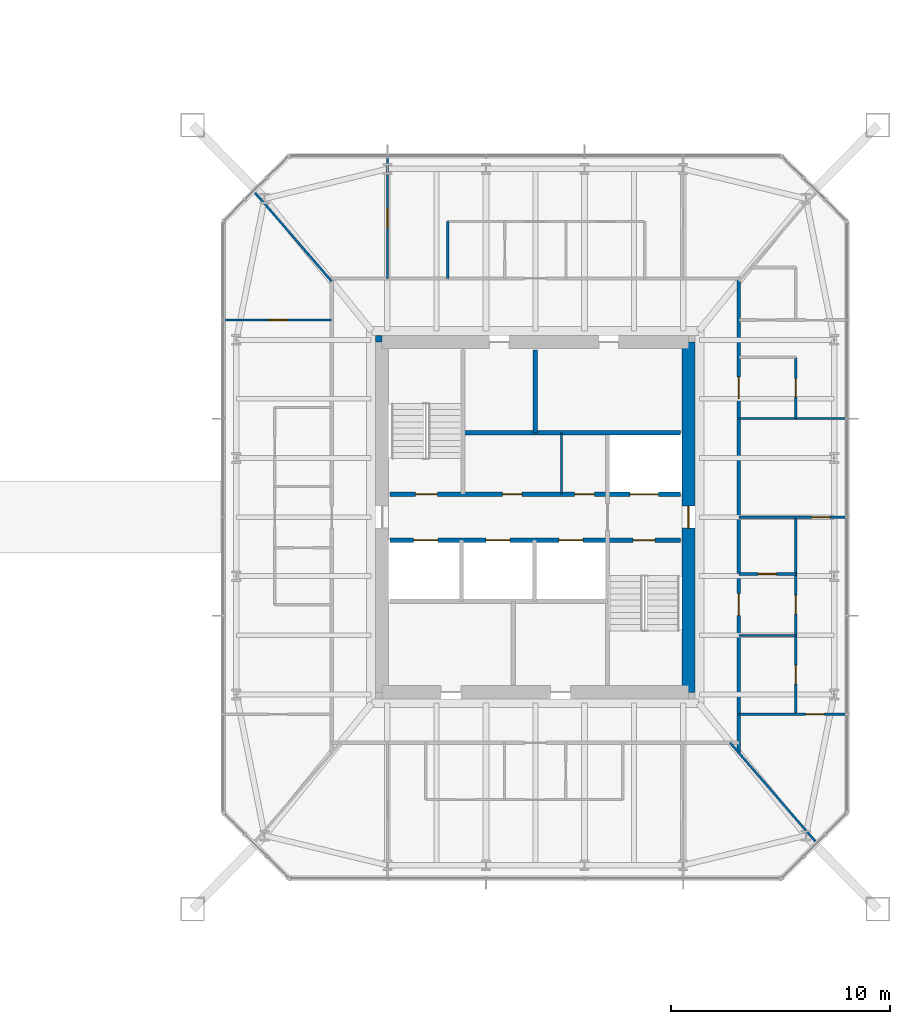
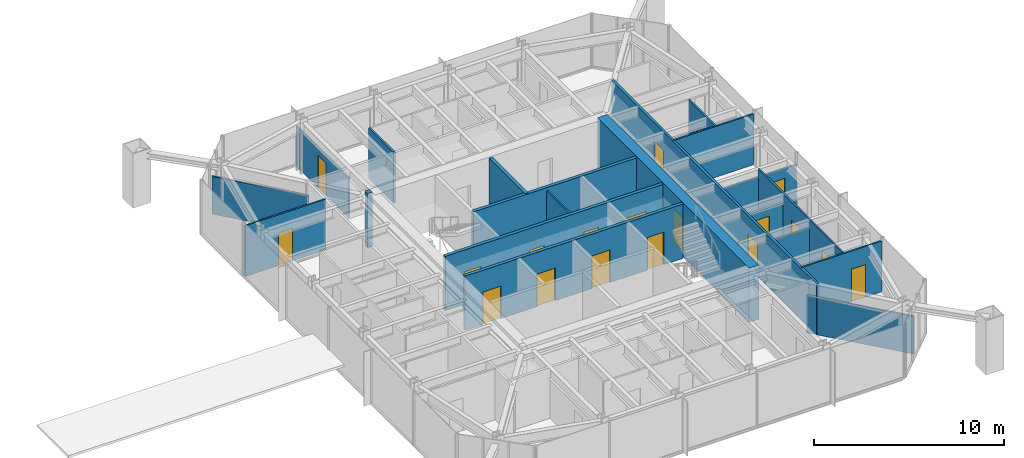
# One storey, part 18 of 25: 20 walls, 19 doors, 19 openings.
"""IFC4 building model written with IfcOpenShell, lengths in metres."""

from ifc_helpers import new_model, si_unit, direction, frame, frame_2d, origin, place, context, subcontext, project, spatial, rectangle, extrude, material, layer, layer_set, type_object, element, fill, save


model = new_model("IFC4")

# Units and contexts
model_context = context("Model", 3, precision=1e-05, world=origin(), true_north=direction((0.0, 1.0)))
body_context = subcontext(model_context, "Body", "Model", "MODEL_VIEW")
ifc_project = project(units=[si_unit("LENGTHUNIT", "METRE"), si_unit("AREAUNIT", "SQUARE_METRE"), si_unit("VOLUMEUNIT", "CUBIC_METRE"), si_unit("PLANEANGLEUNIT", "RADIAN"), si_unit("MASSUNIT", "GRAM", prefix="KILO")], contexts=[model_context])

# Site, building, storey
site_placement = place(None, origin())
site = spatial("IfcSite", under=ifc_project, at=site_placement, CompositionType="ELEMENT")
building_placement = place(site_placement, origin())
building = spatial("IfcBuilding", under=site, at=building_placement, Name="Iwan Alto Co-Living Towers", CompositionType="ELEMENT")
storey_placement = place(building_placement, frame((0.0, 0.0, 101.5)))
storey = spatial("IfcBuildingStorey", under=building, at=storey_placement, Name="L27", CompositionType="ELEMENT", Elevation=101.5)

# Wall, openings, doors
ifc_material_1 = material(Name="Gypsum board")
ifc_layer_1 = layer(ifc_material_1, 0.02490234375, Name="Board", Category="Finish")
ifc_material_2 = material(Name="Steel ASTM A1003 ST33H cold-formed studs", Category="steel")
ifc_layer_2 = layer(ifc_material_2, 0.10009765625, Name="Studs", Category="Framing")
ifc_layer_3 = layer(ifc_material_1, 0.02490234375, Name="Board", Category="Finish")
ifc_layer_set_1 = layer_set([ifc_layer_1, ifc_layer_2, ifc_layer_3], Name="CORRIDOR WALL 150")
wall_type_1 = type_object("IfcWallType", Name="CORRIDOR WALL 150", PredefinedType="PARTITIONING", material=ifc_layer_set_1)
wall_1_placement = place(storey_placement, frame((72.300048828125, -10.76806640625, 0.0), z_axis=(0.0, 0.0, 1.0), x_axis=(0.0, 1.0, 0.0)))
wall_1 = element("IfcWall", 1, at=wall_1_placement, inside=storey, type_object=wall_type_1, Name="Partition L27", PredefinedType="PARTITIONING", context=body_context, shape_type="SweptSolid", body=[
    extrude(rectangle(XDim=21.66796875, YDim=0.14990234375, at=frame_2d((10.833984375, 0.0))), origin(), (0.0, 0.0, 1.0), 3.27001953125),
])
opening_1_placement = place(wall_1_placement, frame((6.26806640625, 0.0, 0.0)))
opening_1 = element("IfcOpeningElement", 2, at=opening_1_placement, cuts=wall_1, Name="Opening D3", PredefinedType="OPENING", context=body_context, shape_type="SweptSolid", body=[
    extrude(rectangle(XDim=1.0, YDim=2.10009765625, at=frame_2d((0.5, 1.050048828125))), frame((0.0, 0.0849609375, 0.0), z_axis=(0.0, -1.0, 0.0), x_axis=(1.0, 0.0, 0.0)), (0.0, 0.0, 1.0), 0.169921875),
])
opening_2_placement = place(wall_1_placement, frame((16.16796875, 0.0, 0.0)))
opening_2 = element("IfcOpeningElement", 3, at=opening_2_placement, cuts=wall_1, Name="Opening D3", PredefinedType="OPENING", context=body_context, shape_type="SweptSolid", body=[
    extrude(rectangle(XDim=1.0, YDim=2.10009765625, at=frame_2d((0.5, 1.050048828125))), frame((0.0, 0.0849609375, 0.0), z_axis=(0.0, -1.0, 0.0), x_axis=(1.0, 0.0, 0.0)), (0.0, 0.0, 1.0), 0.169921875),
])
ifc_material_3 = material(Name="Steel frame with timber leaf", Category="steel")
door_type_1 = type_object("IfcDoorType", Name="FLAT ENTRANCE DOOR FD30S 1000X2100", OperationType="SINGLE_SWING_LEFT", PredefinedType="DOOR", material=ifc_material_3)
door_1_placement = place(opening_1_placement, frame((1.0, 0.0, 0.0), z_axis=(0.0, 0.0, 1.0), x_axis=(-1.0, 0.0, 0.0)))
door_1 = element("IfcDoor", 4, at=door_1_placement, inside=storey, type_object=door_type_1, Name="Apartment foyer door L27", OperationType="SINGLE_SWING_RIGHT", OverallHeight=2.10009765625, OverallWidth=1.0, PredefinedType="DOOR", context=body_context, shape_type="SweptSolid", body=[
    extrude(rectangle(XDim=1.0, YDim=2.10009765625, at=frame_2d((0.5, 1.050048828125))), frame((0.0, 0.02490234375, 0.0), z_axis=(0.0, -1.0, 0.0), x_axis=(1.0, 0.0, 0.0)), (0.0, 0.0, 1.0), 0.050048828125),
])
fill(opening_1, door_1)
door_2_placement = place(opening_2_placement, frame((1.0, 0.0, 0.0), z_axis=(0.0, 0.0, 1.0), x_axis=(-1.0, 0.0, 0.0)))
door_2 = element("IfcDoor", 5, at=door_2_placement, inside=storey, type_object=door_type_1, Name="Apartment foyer door L27", OperationType="SINGLE_SWING_RIGHT", OverallHeight=2.10009765625, OverallWidth=1.0, PredefinedType="DOOR", context=body_context, shape_type="SweptSolid", body=[
    extrude(rectangle(XDim=1.0, YDim=2.10009765625, at=frame_2d((0.5, 1.050048828125))), frame((0.0, 0.02490234375, 0.0), z_axis=(0.0, -1.0, 0.0), x_axis=(1.0, 0.0, 0.0)), (0.0, 0.0, 1.0), 0.050048828125),
])
fill(opening_2, door_2)

# Wall, opening, door
ifc_layer_4 = layer(ifc_material_1, 0.012451171875, Name="Board", Category="Finish")
ifc_layer_5 = layer(ifc_material_2, 0.074951171875, Name="Studs", Category="Framing")
ifc_layer_6 = layer(ifc_material_1, 0.012451171875, Name="Board", Category="Finish")
ifc_layer_set_2 = layer_set([ifc_layer_4, ifc_layer_5, ifc_layer_6], Name="PARTITION 100")
wall_type_2 = type_object("IfcWallType", Name="PARTITION 100", PredefinedType="PARTITIONING", material=ifc_layer_set_2)
wall_2_placement = place(storey_placement, frame((72.300048828125, -9.0, 0.0), z_axis=(0.0, 0.0, 1.0), x_axis=(1.0, 0.0, 0.0)))
wall_2 = element("IfcWall", 6, at=wall_2_placement, inside=storey, type_object=wall_type_2, Name="Partition L27", PredefinedType="PARTITIONING", context=body_context, shape_type="SweptSolid", body=[
    extrude(rectangle(XDim=4.889892578125, YDim=0.10009765625, at=frame_2d((2.44482421875, 0.0))), origin(), (0.0, 0.0, 1.0), 3.27001953125),
])
opening_3_placement = place(wall_2_placement, frame((3.050048828125, 0.0, 0.0)))
opening_3 = element("IfcOpeningElement", 7, at=opening_3_placement, cuts=wall_2, Name="Opening D2", PredefinedType="OPENING", context=body_context, shape_type="SweptSolid", body=[
    extrude(rectangle(XDim=0.85009765625, YDim=2.10009765625, at=frame_2d((0.425048828125, 1.050048828125))), frame((0.0, 0.06005859375, 0.0), z_axis=(0.0, -1.0, 0.0), x_axis=(1.0, 0.0, 0.0)), (0.0, 0.0, 1.0), 0.1201171875),
])
ifc_material_4 = material(Name="Timber leaf in steel frame", Category="steel")
door_type_2 = type_object("IfcDoorType", Name="ROOM DOOR 850X2100", OperationType="SINGLE_SWING_LEFT", PredefinedType="DOOR", material=ifc_material_4)
door_3_placement = place(opening_3_placement, frame((0.85009765625, 0.0, 0.0), z_axis=(0.0, 0.0, 1.0), x_axis=(-1.0, 0.0, 0.0)))
door_3 = element("IfcDoor", 8, at=door_3_placement, inside=storey, type_object=door_type_2, Name="Bedroom door L27", OperationType="SINGLE_SWING_LEFT", OverallHeight=2.10009765625, OverallWidth=0.85009765625, PredefinedType="DOOR", context=body_context, shape_type="SweptSolid", body=[
    extrude(rectangle(XDim=0.85009765625, YDim=2.10009765625, at=frame_2d((0.425048828125, 1.050048828125))), frame((0.0, 0.02490234375, 0.0), z_axis=(0.0, -1.0, 0.0), x_axis=(1.0, 0.0, 0.0)), (0.0, 0.0, 1.0), 0.050048828125),
])
fill(opening_3, door_3)

# Walls
wall_3_placement = place(storey_placement, frame((72.300048828125, -5.39990234375, 0.0), z_axis=(0.0, 0.0, 1.0), x_axis=(1.0, 0.0, 0.0)))
element("IfcWall", 9, at=wall_3_placement, inside=storey, type_object=wall_type_2, Name="Partition L27", PredefinedType="PARTITIONING", context=body_context, shape_type="SweptSolid", body=[
    extrude(rectangle(XDim=2.599853515625, YDim=0.10009765625, at=frame_2d((1.2998046875, 0.0))), origin(), (0.0, 0.0, 1.0), 2.736572265625),
])
wall_4_placement = place(storey_placement, frame((72.300048828125, 4.5, 0.0), z_axis=(0.0, 0.0, 1.0), x_axis=(1.0, 0.0, 0.0)))
element("IfcWall", 10, at=wall_4_placement, inside=storey, type_object=wall_type_2, Name="Partition L27", PredefinedType="PARTITIONING", context=body_context, shape_type="SweptSolid", body=[
    extrude(rectangle(XDim=4.889892578125, YDim=0.10009765625, at=frame_2d((2.44482421875, 0.0))), origin(), (0.0, 0.0, 1.0), 3.27001953125),
])

# Wall, opening, door
wall_5_placement = place(storey_placement, frame((48.81005859375, 9.0, 0.0), z_axis=(0.0, 0.0, 1.0), x_axis=(1.0, 0.0, 0.0)))
wall_5 = element("IfcWall", 11, at=wall_5_placement, inside=storey, type_object=wall_type_2, Name="Partition L27", PredefinedType="PARTITIONING", context=body_context, shape_type="SweptSolid", body=[
    extrude(rectangle(XDim=4.889892578125, YDim=0.10009765625, at=frame_2d((2.44482421875, 0.0))), origin(), (0.0, 0.0, 1.0), 3.27001953125),
])
opening_4_placement = place(wall_5_placement, frame((2.02001953125, 0.0, 0.0)))
opening_4 = element("IfcOpeningElement", 12, at=opening_4_placement, cuts=wall_5, Name="Opening D2", PredefinedType="OPENING", context=body_context, shape_type="SweptSolid", body=[
    extrude(rectangle(XDim=0.85009765625, YDim=2.10009765625, at=frame_2d((0.425048828125, 1.050048828125))), frame((0.0, 0.06005859375, 0.0), z_axis=(0.0, -1.0, 0.0), x_axis=(1.0, 0.0, 0.0)), (0.0, 0.0, 1.0), 0.1201171875),
])
door_4_placement = place(opening_4_placement, frame((0.85009765625, 0.0, 0.0), z_axis=(0.0, 0.0, 1.0), x_axis=(-1.0, 0.0, 0.0)))
door_4 = element("IfcDoor", 13, at=door_4_placement, inside=storey, type_object=door_type_2, Name="Bedroom door L27", OperationType="SINGLE_SWING_LEFT", OverallHeight=2.10009765625, OverallWidth=0.85009765625, PredefinedType="DOOR", context=body_context, shape_type="SweptSolid", body=[
    extrude(rectangle(XDim=0.85009765625, YDim=2.10009765625, at=frame_2d((0.425048828125, 1.050048828125))), frame((0.0, 0.02490234375, 0.0), z_axis=(0.0, -1.0, 0.0), x_axis=(1.0, 0.0, 0.0)), (0.0, 0.0, 1.0), 0.050048828125),
])
fill(opening_4, door_4)

# Wall, openings, doors
wall_6_placement = place(storey_placement, frame((74.89990234375, -9.0, 0.0), z_axis=(0.0, 0.0, 1.0), x_axis=(0.0, 1.0, 0.0)))
wall_6 = element("IfcWall", 14, at=wall_6_placement, inside=storey, type_object=wall_type_2, Name="Partition L27", PredefinedType="PARTITIONING", context=body_context, shape_type="SweptSolid", body=[
    extrude(rectangle(XDim=9.0, YDim=0.10009765625, at=frame_2d((4.5, 0.0))), origin(), (0.0, 0.0, 1.0), 3.27001953125),
])
opening_5_placement = place(wall_6_placement, frame((1.375, 0.0, 0.0)))
opening_5 = element("IfcOpeningElement", 15, at=opening_5_placement, cuts=wall_6, Name="Opening D2", PredefinedType="OPENING", context=body_context, shape_type="SweptSolid", body=[
    extrude(rectangle(XDim=0.85009765625, YDim=2.10009765625, at=frame_2d((0.425048828125, 1.050048828125))), frame((0.0, 0.06005859375, 0.0), z_axis=(0.0, -1.0, 0.0), x_axis=(1.0, 0.0, 0.0)), (0.0, 0.0, 1.0), 0.1201171875),
])
opening_6_placement = place(wall_6_placement, frame((4.574951171875, 0.0, 0.0)))
opening_6 = element("IfcOpeningElement", 16, at=opening_6_placement, cuts=wall_6, Name="Opening D2", PredefinedType="OPENING", context=body_context, shape_type="SweptSolid", body=[
    extrude(rectangle(XDim=0.85009765625, YDim=2.10009765625, at=frame_2d((0.425048828125, 1.050048828125))), frame((0.0, 0.06005859375, 0.0), z_axis=(0.0, -1.0, 0.0), x_axis=(1.0, 0.0, 0.0)), (0.0, 0.0, 1.0), 0.1201171875),
])
door_5_placement = place(opening_5_placement, frame((0.85009765625, 0.0, 0.0), z_axis=(0.0, 0.0, 1.0), x_axis=(-1.0, 0.0, 0.0)))
door_5 = element("IfcDoor", 17, at=door_5_placement, inside=storey, type_object=door_type_2, Name="Kitchen door L27", OperationType="SINGLE_SWING_RIGHT", OverallHeight=2.10009765625, OverallWidth=0.85009765625, PredefinedType="DOOR", context=body_context, shape_type="SweptSolid", body=[
    extrude(rectangle(XDim=0.85009765625, YDim=2.10009765625, at=frame_2d((0.425048828125, 1.050048828125))), frame((0.0, 0.02490234375, 0.0), z_axis=(0.0, -1.0, 0.0), x_axis=(1.0, 0.0, 0.0)), (0.0, 0.0, 1.0), 0.050048828125),
])
fill(opening_5, door_5)
door_6_placement = place(opening_6_placement, frame((0.85009765625, 0.0, 0.0), z_axis=(0.0, 0.0, 1.0), x_axis=(-1.0, 0.0, 0.0)))
door_6 = element("IfcDoor", 18, at=door_6_placement, inside=storey, type_object=door_type_2, Name="Apartment foyer door L27", OperationType="SINGLE_SWING_LEFT", OverallHeight=2.10009765625, OverallWidth=0.85009765625, PredefinedType="DOOR", context=body_context, shape_type="SweptSolid", body=[
    extrude(rectangle(XDim=0.85009765625, YDim=2.10009765625, at=frame_2d((0.425048828125, 1.050048828125))), frame((0.0, 0.02490234375, 0.0), z_axis=(0.0, -1.0, 0.0), x_axis=(1.0, 0.0, 0.0)), (0.0, 0.0, 1.0), 0.050048828125),
])
fill(opening_6, door_6)

# Wall, opening, door
wall_7_placement = place(storey_placement, frame((74.89990234375, 4.5, 0.0), z_axis=(0.0, 0.0, 1.0), x_axis=(0.0, 1.0, 0.0)))
wall_7 = element("IfcWall", 19, at=wall_7_placement, inside=storey, type_object=wall_type_2, Name="Partition L27", PredefinedType="PARTITIONING", context=body_context, shape_type="SweptSolid", body=[
    extrude(rectangle(XDim=2.800048828125, YDim=0.10009765625, at=frame_2d((1.39990234375, 0.0))), origin(), (0.0, 0.0, 1.0), 3.27001953125),
])
opening_7_placement = place(wall_7_placement, frame((0.97509765625, 0.0, 0.0)))
opening_7 = element("IfcOpeningElement", 20, at=opening_7_placement, cuts=wall_7, Name="Opening D2", PredefinedType="OPENING", context=body_context, shape_type="SweptSolid", body=[
    extrude(rectangle(XDim=0.85009765625, YDim=2.10009765625, at=frame_2d((0.425048828125, 1.050048828125))), frame((0.0, 0.06005859375, 0.0), z_axis=(0.0, -1.0, 0.0), x_axis=(1.0, 0.0, 0.0)), (0.0, 0.0, 1.0), 0.1201171875),
])
door_7_placement = place(opening_7_placement, frame((0.85009765625, 0.0, 0.0), z_axis=(0.0, 0.0, 1.0), x_axis=(-1.0, 0.0, 0.0)))
door_7 = element("IfcDoor", 21, at=door_7_placement, inside=storey, type_object=door_type_2, Name="Apartment foyer door L27", OperationType="SINGLE_SWING_RIGHT", OverallHeight=2.10009765625, OverallWidth=0.85009765625, PredefinedType="DOOR", context=body_context, shape_type="SweptSolid", body=[
    extrude(rectangle(XDim=0.85009765625, YDim=2.10009765625, at=frame_2d((0.425048828125, 1.050048828125))), frame((0.0, 0.02490234375, 0.0), z_axis=(0.0, -1.0, 0.0), x_axis=(1.0, 0.0, 0.0)), (0.0, 0.0, 1.0), 0.050048828125),
])
fill(opening_7, door_7)

# Wall
wall_8_placement = place(storey_placement, frame((64.199951171875, 1.050048828125, 0.0), z_axis=(0.0, 0.0, 1.0), x_axis=(0.0, 1.0, 0.0)))
element("IfcWall", 22, at=wall_8_placement, inside=storey, type_object=wall_type_2, Name="Partition L27", PredefinedType="PARTITIONING", context=body_context, shape_type="SweptSolid", body=[
    extrude(rectangle(XDim=2.800048828125, YDim=0.10009765625, at=frame_2d((1.39990234375, 0.0))), origin(), (0.0, 0.0, 1.0), 3.300048828125),
])

# Wall, opening, door
wall_9_placement = place(storey_placement, frame((56.25, 10.89990234375, 0.0), z_axis=(0.0, 0.0, 1.0), x_axis=(0.0, 1.0, 0.0)))
wall_9 = element("IfcWall", 23, at=wall_9_placement, inside=storey, type_object=wall_type_2, Name="Partition L27", PredefinedType="PARTITIONING", context=body_context, shape_type="SweptSolid", body=[
    extrude(rectangle(XDim=5.5400390625, YDim=0.10009765625, at=frame_2d((2.77001953125, 0.0))), origin(), (0.0, 0.0, 1.0), 2.586669921875),
])
opening_8_placement = place(wall_9_placement, frame((2.344970703125, 0.0, 0.0)))
opening_8 = element("IfcOpeningElement", 24, at=opening_8_placement, cuts=wall_9, Name="Opening D2", PredefinedType="OPENING", context=body_context, shape_type="SweptSolid", body=[
    extrude(rectangle(XDim=0.85009765625, YDim=2.10009765625, at=frame_2d((0.425048828125, 1.050048828125))), frame((0.0, 0.06005859375, 0.0), z_axis=(0.0, -1.0, 0.0), x_axis=(1.0, 0.0, 0.0)), (0.0, 0.0, 1.0), 0.1201171875),
])
door_8_placement = place(opening_8_placement, frame((0.85009765625, 0.0, 0.0), z_axis=(0.0, 0.0, 1.0), x_axis=(-1.0, 0.0, 0.0)))
door_8 = element("IfcDoor", 25, at=door_8_placement, inside=storey, type_object=door_type_2, Name="Bedroom door L27", OperationType="SINGLE_SWING_RIGHT", OverallHeight=2.10009765625, OverallWidth=0.85009765625, PredefinedType="DOOR", context=body_context, shape_type="SweptSolid", body=[
    extrude(rectangle(XDim=0.85009765625, YDim=2.10009765625, at=frame_2d((0.425048828125, 1.050048828125))), frame((0.0, 0.02490234375, 0.0), z_axis=(0.0, -1.0, 0.0), x_axis=(1.0, 0.0, 0.0)), (0.0, 0.0, 1.0), 0.050048828125),
])
fill(opening_8, door_8)

# Walls
wall_10_placement = place(storey_placement, frame((53.700927734375, 10.76806640625, 0.0), z_axis=(0.0, 0.0, 1.0), x_axis=(-0.653623410225, 0.756819950586, 0.0)))
element("IfcWall", 26, at=wall_10_placement, inside=storey, type_object=wall_type_2, Name="Partition L27", PredefinedType="PARTITIONING", context=body_context, shape_type="SweptSolid", body=[
    extrude(rectangle(XDim=5.386962890625, YDim=0.10009765625, at=frame_2d((2.693359375, 0.0))), origin(), (0.0, 0.0, 1.0), 2.42919921875),
])
wall_11_placement = place(storey_placement, frame((75.821044921875, -14.843994140625, 0.0), z_axis=(0.0, 0.0, 1.0), x_axis=(-0.65378286253, 0.756682211144, 0.0)))
element("IfcWall", 27, at=wall_11_placement, inside=storey, type_object=wall_type_2, Name="Partition L27", PredefinedType="PARTITIONING", context=body_context, shape_type="SweptSolid", body=[
    extrude(rectangle(XDim=6.005126953125, YDim=0.10009765625, at=frame_2d((3.00244140625, 0.0))), origin(), (0.0, 0.0, 1.0), 2.42919921875),
])

# Wall, openings, doors
ifc_material_5 = material(Name="Concrete f'c 70 MPa", Category="concrete")
ifc_layer_7 = layer(ifc_material_5, 0.199951171875)
ifc_layer_set_3 = layer_set([ifc_layer_7], Name="SHAFT WALL 200")
wall_type_3 = type_object("IfcWallType", Name="SHAFT WALL 200", PredefinedType="SOLIDWALL", material=ifc_layer_set_3)
wall_12_placement = place(storey_placement, frame((56.360107421875, -1.050048828125, 0.0), z_axis=(0.0, 0.0, 1.0), x_axis=(1.0, 0.0, 0.0)))
wall_12 = element("IfcWall", 28, at=wall_12_placement, inside=storey, type_object=wall_type_3, Name="Shaft wall L27", PredefinedType="SOLIDWALL", context=body_context, shape_type="SweptSolid", body=[
    extrude(rectangle(XDim=13.27978515625, YDim=0.199951171875, at=frame_2d((6.639892578125, 0.0))), origin(), (0.0, 0.0, 1.0), 3.5),
])
opening_9_placement = place(wall_12_placement, frame((11.110107421875, 0.0, 0.0)))
opening_9 = element("IfcOpeningElement", 29, at=opening_9_placement, cuts=wall_12, Name="Opening D5", PredefinedType="OPENING", context=body_context, shape_type="SweptSolid", body=[
    extrude(rectangle(XDim=1.0, YDim=2.10009765625, at=frame_2d((0.5, 1.050048828125))), frame((0.0, 0.10986328125, 0.0), z_axis=(0.0, -1.0, 0.0), x_axis=(1.0, 0.0, 0.0)), (0.0, 0.0, 1.0), 0.219970703125),
])
opening_10_placement = place(wall_12_placement, frame((1.0869140625, 0.0, 0.0)))
opening_10 = element("IfcOpeningElement", 30, at=opening_10_placement, cuts=wall_12, Name="Opening LD", PredefinedType="OPENING", context=body_context, shape_type="SweptSolid", body=[
    extrude(rectangle(XDim=1.10009765625, YDim=2.10009765625, at=frame_2d((0.550048828125, 1.050048828125))), frame((0.0, 0.10986328125, 0.0), z_axis=(0.0, -1.0, 0.0), x_axis=(1.0, 0.0, 0.0)), (0.0, 0.0, 1.0), 0.219970703125),
])
opening_11_placement = place(wall_12_placement, frame((4.389892578125, 0.0, 0.0)))
opening_11 = element("IfcOpeningElement", 31, at=opening_11_placement, cuts=wall_12, Name="Opening LD", PredefinedType="OPENING", context=body_context, shape_type="SweptSolid", body=[
    extrude(rectangle(XDim=1.10009765625, YDim=2.10009765625, at=frame_2d((0.550048828125, 1.050048828125))), frame((0.0, 0.10986328125, 0.0), z_axis=(0.0, -1.0, 0.0), x_axis=(1.0, 0.0, 0.0)), (0.0, 0.0, 1.0), 0.219970703125),
])
opening_12_placement = place(wall_12_placement, frame((7.72412109375, 0.0, 0.0)))
opening_12 = element("IfcOpeningElement", 32, at=opening_12_placement, cuts=wall_12, Name="Opening LD", PredefinedType="OPENING", context=body_context, shape_type="SweptSolid", body=[
    extrude(rectangle(XDim=1.10009765625, YDim=2.10009765625, at=frame_2d((0.550048828125, 1.050048828125))), frame((0.0, 0.10986328125, 0.0), z_axis=(0.0, -1.0, 0.0), x_axis=(1.0, 0.0, 0.0)), (0.0, 0.0, 1.0), 0.219970703125),
])
ifc_material_6 = material(Name="Steel frame with timber leaf", Category="steel")
door_type_3 = type_object("IfcDoorType", Name="LIFT LANDING DOOR 1100X2100", OperationType="DOUBLE_DOOR_SLIDING", PredefinedType="DOOR", material=ifc_material_6)
door_9_placement = place(opening_10_placement, origin())
door_9 = element("IfcDoor", 33, at=door_9_placement, inside=storey, type_object=door_type_3, Name="Lift P5-1 landing door L27", OperationType="DOUBLE_DOOR_SLIDING", OverallHeight=2.10009765625, OverallWidth=1.10009765625, PredefinedType="DOOR", context=body_context, shape_type="SweptSolid", body=[
    extrude(rectangle(XDim=1.10009765625, YDim=2.10009765625, at=frame_2d((0.550048828125, 1.050048828125))), frame((0.0, 0.02490234375, 0.0), z_axis=(0.0, -1.0, 0.0), x_axis=(1.0, 0.0, 0.0)), (0.0, 0.0, 1.0), 0.050048828125),
])
fill(opening_10, door_9)
door_10_placement = place(opening_11_placement, origin())
door_10 = element("IfcDoor", 34, at=door_10_placement, inside=storey, type_object=door_type_3, Name="Lift P5-2 landing door L27", OperationType="DOUBLE_DOOR_SLIDING", OverallHeight=2.10009765625, OverallWidth=1.10009765625, PredefinedType="DOOR", context=body_context, shape_type="SweptSolid", body=[
    extrude(rectangle(XDim=1.10009765625, YDim=2.10009765625, at=frame_2d((0.550048828125, 1.050048828125))), frame((0.0, 0.02490234375, 0.0), z_axis=(0.0, -1.0, 0.0), x_axis=(1.0, 0.0, 0.0)), (0.0, 0.0, 1.0), 0.050048828125),
])
fill(opening_11, door_10)
door_11_placement = place(opening_12_placement, origin())
door_11 = element("IfcDoor", 35, at=door_11_placement, inside=storey, type_object=door_type_3, Name="Lift P6-3 landing door L27", OperationType="DOUBLE_DOOR_SLIDING", OverallHeight=2.10009765625, OverallWidth=1.10009765625, PredefinedType="DOOR", context=body_context, shape_type="SweptSolid", body=[
    extrude(rectangle(XDim=1.10009765625, YDim=2.10009765625, at=frame_2d((0.550048828125, 1.050048828125))), frame((0.0, 0.02490234375, 0.0), z_axis=(0.0, -1.0, 0.0), x_axis=(1.0, 0.0, 0.0)), (0.0, 0.0, 1.0), 0.050048828125),
])
fill(opening_12, door_11)
ifc_material_7 = material(Name="Steel frame with timber leaf", Category="steel")
door_type_4 = type_object("IfcDoorType", Name="STAIR DOOR FD120S 1000X2100", OperationType="SINGLE_SWING_LEFT", PredefinedType="DOOR", material=ifc_material_7)
door_12_placement = place(opening_9_placement, frame((1.0, 0.0, 0.0), z_axis=(0.0, 0.0, 1.0), x_axis=(-1.0, 0.0, 0.0)))
door_12 = element("IfcDoor", 36, at=door_12_placement, inside=storey, type_object=door_type_4, Name="Stair S2 door L27", OperationType="SINGLE_SWING_RIGHT", OverallHeight=2.10009765625, OverallWidth=1.0, PredefinedType="DOOR", context=body_context, shape_type="SweptSolid", body=[
    extrude(rectangle(XDim=1.0, YDim=2.10009765625, at=frame_2d((0.5, 1.050048828125))), frame((0.0, 0.02490234375, 0.0), z_axis=(0.0, -1.0, 0.0), x_axis=(1.0, 0.0, 0.0)), (0.0, 0.0, 1.0), 0.050048828125),
])
fill(opening_9, door_12)

wall_13_placement = place(storey_placement, frame((56.360107421875, 1.050048828125, 0.0), z_axis=(0.0, 0.0, 1.0), x_axis=(1.0, 0.0, 0.0)))
wall_13 = element("IfcWall", 37, at=wall_13_placement, inside=storey, type_object=wall_type_3, Name="Shaft wall L27", PredefinedType="SOLIDWALL", context=body_context, shape_type="SweptSolid", body=[
    extrude(rectangle(XDim=13.27978515625, YDim=0.199951171875, at=frame_2d((6.639892578125, 0.0))), origin(), (0.0, 0.0, 1.0), 3.5),
])
opening_13_placement = place(wall_13_placement, frame((1.169921875, 0.0, 0.0)))
opening_13 = element("IfcOpeningElement", 38, at=opening_13_placement, cuts=wall_13, Name="Opening D5", PredefinedType="OPENING", context=body_context, shape_type="SweptSolid", body=[
    extrude(rectangle(XDim=1.0, YDim=2.10009765625, at=frame_2d((0.5, 1.050048828125))), frame((0.0, 0.10986328125, 0.0), z_axis=(0.0, -1.0, 0.0), x_axis=(1.0, 0.0, 0.0)), (0.0, 0.0, 1.0), 0.219970703125),
])
opening_14_placement = place(wall_13_placement, frame((5.139892578125, 0.0, 0.0)))
opening_14 = element("IfcOpeningElement", 39, at=opening_14_placement, cuts=wall_13, Name="Opening D8", PredefinedType="OPENING", context=body_context, shape_type="SweptSolid", body=[
    extrude(rectangle(XDim=0.89990234375, YDim=2.10009765625, at=frame_2d((0.449951171875, 1.050048828125))), frame((0.0, 0.10986328125, 0.0), z_axis=(0.0, -1.0, 0.0), x_axis=(1.0, 0.0, 0.0)), (0.0, 0.0, 1.0), 0.219970703125),
])
opening_15_placement = place(wall_13_placement, frame((8.43994140625, 0.0, 0.0)))
opening_15 = element("IfcOpeningElement", 40, at=opening_15_placement, cuts=wall_13, Name="Opening D15", PredefinedType="OPENING", context=body_context, shape_type="SweptSolid", body=[
    extrude(rectangle(XDim=0.89990234375, YDim=2.10009765625, at=frame_2d((0.449951171875, 1.050048828125))), frame((0.0, 0.10986328125, 0.0), z_axis=(0.0, -1.0, 0.0), x_axis=(1.0, 0.0, 0.0)), (0.0, 0.0, 1.0), 0.219970703125),
])
opening_16_placement = place(wall_13_placement, frame((10.9599609375, 0.0, 0.0)))
opening_16 = element("IfcOpeningElement", 41, at=opening_16_placement, cuts=wall_13, Name="Opening LD2", PredefinedType="OPENING", context=body_context, shape_type="SweptSolid", body=[
    extrude(rectangle(XDim=1.300048828125, YDim=2.10009765625, at=frame_2d((0.64990234375, 1.050048828125))), frame((0.0, 0.10986328125, 0.0), z_axis=(0.0, -1.0, 0.0), x_axis=(1.0, 0.0, 0.0)), (0.0, 0.0, 1.0), 0.219970703125),
])
ifc_material_8 = material(Name="Steel frame with timber leaf", Category="steel")
door_type_5 = type_object("IfcDoorType", Name="CORE ROOM DOOR FD60S 900X2100", OperationType="SINGLE_SWING_LEFT", PredefinedType="DOOR", material=ifc_material_8)
door_13_placement = place(opening_15_placement, origin())
door_13 = element("IfcDoor", 42, at=door_13_placement, inside=storey, type_object=door_type_5, Name="Linen store door L27", OperationType="SINGLE_SWING_LEFT", OverallHeight=2.10009765625, OverallWidth=0.89990234375, PredefinedType="DOOR", context=body_context, shape_type="SweptSolid", body=[
    extrude(rectangle(XDim=0.89990234375, YDim=2.10009765625, at=frame_2d((0.449951171875, 1.050048828125))), frame((0.0, 0.02490234375, 0.0), z_axis=(0.0, -1.0, 0.0), x_axis=(1.0, 0.0, 0.0)), (0.0, 0.0, 1.0), 0.050048828125),
])
fill(opening_15, door_13)
ifc_material_9 = material(Name="Steel frame with timber leaf", Category="steel")
door_type_6 = type_object("IfcDoorType", Name="LIFT LANDING DOOR 1300X2100", OperationType="SLIDING_TO_LEFT", PredefinedType="DOOR", material=ifc_material_9)
door_14_placement = place(opening_16_placement, origin())
door_14 = element("IfcDoor", 43, at=door_14_placement, inside=storey, type_object=door_type_6, Name="Lift FL2 landing door L27", OperationType="SLIDING_TO_LEFT", OverallHeight=2.10009765625, OverallWidth=1.300048828125, PredefinedType="DOOR", context=body_context, shape_type="SweptSolid", body=[
    extrude(rectangle(XDim=1.300048828125, YDim=2.10009765625, at=frame_2d((0.64990234375, 1.050048828125))), frame((0.0, 0.02490234375, 0.0), z_axis=(0.0, -1.0, 0.0), x_axis=(1.0, 0.0, 0.0)), (0.0, 0.0, 1.0), 0.050048828125),
])
fill(opening_16, door_14)
ifc_material_10 = material(Name="Steel frame with timber leaf", Category="steel")
door_type_7 = type_object("IfcDoorType", Name="RISER DOOR FD120 900X2100", OperationType="SINGLE_SWING_LEFT", PredefinedType="DOOR", material=ifc_material_10)
door_15_placement = place(opening_14_placement, origin())
door_15 = element("IfcDoor", 44, at=door_15_placement, inside=storey, type_object=door_type_7, Name="Riser room door L27", OperationType="SINGLE_SWING_LEFT", OverallHeight=2.10009765625, OverallWidth=0.89990234375, PredefinedType="DOOR", context=body_context, shape_type="SweptSolid", body=[
    extrude(rectangle(XDim=0.89990234375, YDim=2.10009765625, at=frame_2d((0.449951171875, 1.050048828125))), frame((0.0, 0.02490234375, 0.0), z_axis=(0.0, -1.0, 0.0), x_axis=(1.0, 0.0, 0.0)), (0.0, 0.0, 1.0), 0.050048828125),
])
fill(opening_14, door_15)
door_16_placement = place(opening_13_placement, origin())
door_16 = element("IfcDoor", 45, at=door_16_placement, inside=storey, type_object=door_type_4, Name="Stair S1 door L27", OperationType="SINGLE_SWING_RIGHT", OverallHeight=2.10009765625, OverallWidth=1.0, PredefinedType="DOOR", context=body_context, shape_type="SweptSolid", body=[
    extrude(rectangle(XDim=1.0, YDim=2.10009765625, at=frame_2d((0.5, 1.050048828125))), frame((0.0, 0.02490234375, 0.0), z_axis=(0.0, -1.0, 0.0), x_axis=(1.0, 0.0, 0.0)), (0.0, 0.0, 1.0), 0.050048828125),
])
fill(opening_13, door_16)

# Walls
wall_14_placement = place(storey_placement, frame((59.699951171875, 3.85009765625, 0.0), z_axis=(0.0, 0.0, 1.0), x_axis=(1.0, 0.0, 0.0)))
element("IfcWall", 46, at=wall_14_placement, inside=storey, type_object=wall_type_3, Name="Shaft wall L27", PredefinedType="SOLIDWALL", context=body_context, shape_type="SweptSolid", body=[
    extrude(rectangle(XDim=9.93994140625, YDim=0.199951171875, at=frame_2d((4.969970703125, 0.0))), origin(), (0.0, 0.0, 1.0), 3.5),
])
wall_15_placement = place(storey_placement, frame((63.0, 3.85009765625, 0.0), z_axis=(0.0, 0.0, 1.0), x_axis=(0.0, 1.0, 0.0)))
element("IfcWall", 47, at=wall_15_placement, inside=storey, type_object=wall_type_3, Name="Shaft wall L27", PredefinedType="SOLIDWALL", context=body_context, shape_type="SweptSolid", body=[
    extrude(rectangle(XDim=3.789794921875, YDim=0.199951171875, at=frame_2d((1.89501953125, 0.0))), origin(), (0.0, 0.0, 1.0), 3.5),
])
ifc_material_11 = material(Name="Concrete f'c 70 MPa", Category="concrete")
ifc_layer_8 = layer(ifc_material_11, 0.300048828125)
ifc_layer_set_4 = layer_set([ifc_layer_8], Name="T2 CORE CORNER FILL 300")
wall_type_4 = type_object("IfcWallType", Name="T2 CORE CORNER FILL 300", PredefinedType="SOLIDWALL", material=ifc_layer_set_4)
wall_16_placement = place(storey_placement, frame((55.699951171875, 8.14990234375, 0.0), z_axis=(0.0, 0.0, 1.0), x_axis=(1.0, 0.0, 0.0)))
element("IfcWall", 48, at=wall_16_placement, inside=storey, type_object=wall_type_4, Name="T2 core corner NW L27", PredefinedType="SOLIDWALL", context=body_context, shape_type="SweptSolid", body=[
    extrude(rectangle(XDim=0.300048828125, YDim=0.300048828125, at=frame_2d((0.14990234375, 0.0))), origin(), (0.0, 0.0, 1.0), 3.5),
])

# Wall, opening, door
ifc_material_12 = material(Name="Concrete f'c 70 MPa", Category="concrete")
ifc_layer_9 = layer(ifc_material_12, 0.60009765625)
ifc_layer_set_5 = layer_set([ifc_layer_9], Name="T2 CORE WALL 600")
wall_type_5 = type_object("IfcWallType", Name="T2 CORE WALL 600", PredefinedType="SHEAR", material=ifc_layer_set_5)
wall_17_placement = place(storey_placement, frame((70.0, -8.0, 0.0), z_axis=(0.0, 0.0, 1.0), x_axis=(0.0, 1.0, 0.0)))
wall_17 = element("IfcWall", 49, at=wall_17_placement, inside=storey, type_object=wall_type_5, Name="T2 core wall E L27", PredefinedType="SHEAR", context=body_context, shape_type="SweptSolid", body=[
    extrude(rectangle(XDim=16.0, YDim=0.60009765625, at=frame_2d((8.0, 0.0))), origin(), (0.0, 0.0, 1.0), 3.5),
])
opening_17_placement = place(wall_17_placement, frame((7.5, 0.0, 0.0)))
opening_17 = element("IfcOpeningElement", 50, at=opening_17_placement, cuts=wall_17, Name="Opening D7", PredefinedType="OPENING", context=body_context, shape_type="SweptSolid", body=[
    extrude(rectangle(XDim=1.0, YDim=2.10009765625, at=frame_2d((0.5, 1.050048828125))), frame((0.0, 0.31005859375, 0.0), z_axis=(0.0, -1.0, 0.0), x_axis=(1.0, 0.0, 0.0)), (0.0, 0.0, 1.0), 0.6201171875),
])
ifc_material_13 = material(Name="Steel frame with timber leaf", Category="steel")
door_type_8 = type_object("IfcDoorType", Name="CORE DOOR FD120S 1000X2100", OperationType="SINGLE_SWING_LEFT", PredefinedType="DOOR", material=ifc_material_13)
door_17_placement = place(opening_17_placement, origin())
door_17 = element("IfcDoor", 51, at=door_17_placement, inside=storey, type_object=door_type_8, Name="Firefighting lobby core door L27", OperationType="SINGLE_SWING_LEFT", OverallHeight=2.10009765625, OverallWidth=1.0, PredefinedType="DOOR", context=body_context, shape_type="SweptSolid", body=[
    extrude(rectangle(XDim=1.0, YDim=2.10009765625, at=frame_2d((0.5, 1.050048828125))), frame((0.0, 0.02490234375, 0.0), z_axis=(0.0, -1.0, 0.0), x_axis=(1.0, 0.0, 0.0)), (0.0, 0.0, 1.0), 0.050048828125),
])
fill(opening_17, door_17)

ifc_material_14 = material(Name="Cement board")
ifc_layer_10 = layer(ifc_material_14, 0.012451171875, Name="Board", Category="Finish")
ifc_layer_11 = layer(ifc_material_2, 0.094970703125, Name="Studs", Category="Framing")
ifc_layer_12 = layer(ifc_material_14, 0.012451171875, Name="Board", Category="Finish")
ifc_layer_set_6 = layer_set([ifc_layer_10, ifc_layer_11, ifc_layer_12], Name="WET AREA PARTITION 120")
wall_type_6 = type_object("IfcWallType", Name="WET AREA PARTITION 120", PredefinedType="PARTITIONING", material=ifc_layer_set_6)
wall_18_placement = place(storey_placement, frame((72.300048828125, -2.60009765625, 0.0), z_axis=(0.0, 0.0, 1.0), x_axis=(1.0, 0.0, 0.0)))
wall_18 = element("IfcWall", 52, at=wall_18_placement, inside=storey, type_object=wall_type_6, Name="Partition L27", PredefinedType="PARTITIONING", context=body_context, shape_type="SweptSolid", body=[
    extrude(rectangle(XDim=2.599853515625, YDim=0.1201171875, at=frame_2d((1.2998046875, 0.0))), origin(), (0.0, 0.0, 1.0), 2.662841796875),
])
opening_18_placement = place(wall_18_placement, frame((0.875, 0.0, 0.0)))
opening_18 = element("IfcOpeningElement", 53, at=opening_18_placement, cuts=wall_18, Name="Opening D2", PredefinedType="OPENING", context=body_context, shape_type="SweptSolid", body=[
    extrude(rectangle(XDim=0.85009765625, YDim=2.10009765625, at=frame_2d((0.425048828125, 1.050048828125))), frame((0.0, 0.070068359375, 0.0), z_axis=(0.0, -1.0, 0.0), x_axis=(1.0, 0.0, 0.0)), (0.0, 0.0, 1.0), 0.14013671875),
])
door_18_placement = place(opening_18_placement, origin())
door_18 = element("IfcDoor", 54, at=door_18_placement, inside=storey, type_object=door_type_2, Name="Bathroom door L27", OperationType="SINGLE_SWING_LEFT", OverallHeight=2.10009765625, OverallWidth=0.85009765625, PredefinedType="DOOR", context=body_context, shape_type="SweptSolid", body=[
    extrude(rectangle(XDim=0.85009765625, YDim=2.10009765625, at=frame_2d((0.425048828125, 1.050048828125))), frame((0.0, 0.02490234375, 0.0), z_axis=(0.0, -1.0, 0.0), x_axis=(1.0, 0.0, 0.0)), (0.0, 0.0, 1.0), 0.050048828125),
])
fill(opening_18, door_18)

wall_19_placement = place(storey_placement, frame((72.300048828125, 0.0, 0.0), z_axis=(0.0, 0.0, 1.0), x_axis=(1.0, 0.0, 0.0)))
wall_19 = element("IfcWall", 55, at=wall_19_placement, inside=storey, type_object=wall_type_6, Name="Partition L27", PredefinedType="PARTITIONING", context=body_context, shape_type="SweptSolid", body=[
    extrude(rectangle(XDim=4.889892578125, YDim=0.1201171875, at=frame_2d((2.44482421875, 0.0))), origin(), (0.0, 0.0, 1.0), 2.736572265625),
])
opening_19_placement = place(wall_19_placement, frame((3.320068359375, 0.0, 0.0)))
opening_19 = element("IfcOpeningElement", 56, at=opening_19_placement, cuts=wall_19, Name="Opening D2", PredefinedType="OPENING", context=body_context, shape_type="SweptSolid", body=[
    extrude(rectangle(XDim=0.85009765625, YDim=2.10009765625, at=frame_2d((0.425048828125, 1.050048828125))), frame((0.0, 0.070068359375, 0.0), z_axis=(0.0, -1.0, 0.0), x_axis=(1.0, 0.0, 0.0)), (0.0, 0.0, 1.0), 0.14013671875),
])
door_19_placement = place(opening_19_placement, origin())
door_19 = element("IfcDoor", 57, at=door_19_placement, inside=storey, type_object=door_type_2, Name="Bedroom door L27", OperationType="SINGLE_SWING_RIGHT", OverallHeight=2.10009765625, OverallWidth=0.85009765625, PredefinedType="DOOR", context=body_context, shape_type="SweptSolid", body=[
    extrude(rectangle(XDim=0.85009765625, YDim=2.10009765625, at=frame_2d((0.425048828125, 1.050048828125))), frame((0.0, 0.02490234375, 0.0), z_axis=(0.0, -1.0, 0.0), x_axis=(1.0, 0.0, 0.0)), (0.0, 0.0, 1.0), 0.050048828125),
])
fill(opening_19, door_19)

# Wall
wall_20_placement = place(storey_placement, frame((59.0, 10.89990234375, 0.0), z_axis=(0.0, 0.0, 1.0), x_axis=(0.0, 1.0, 0.0)))
element("IfcWall", 58, at=wall_20_placement, inside=storey, type_object=wall_type_6, Name="Partition L27", PredefinedType="PARTITIONING", context=body_context, shape_type="SweptSolid", body=[
    extrude(rectangle(XDim=2.60009765625, YDim=0.1201171875, at=frame_2d((1.300048828125, 0.0))), origin(), (0.0, 0.0, 1.0), 3.27001953125),
])

save(model, "model.ifc")
